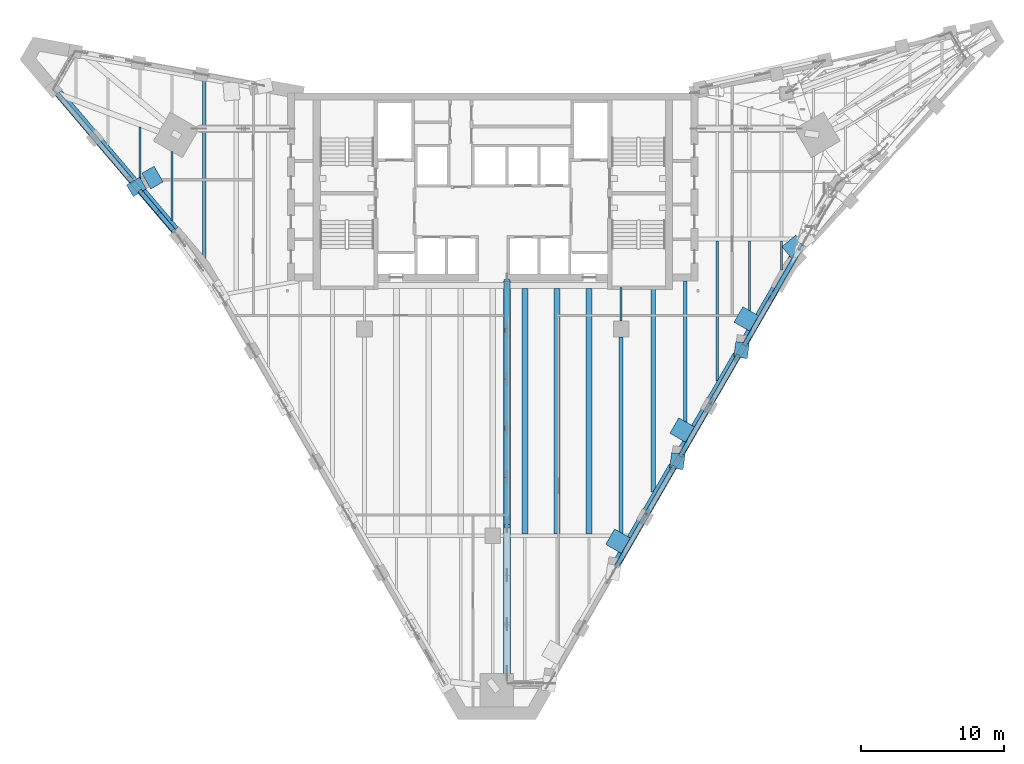
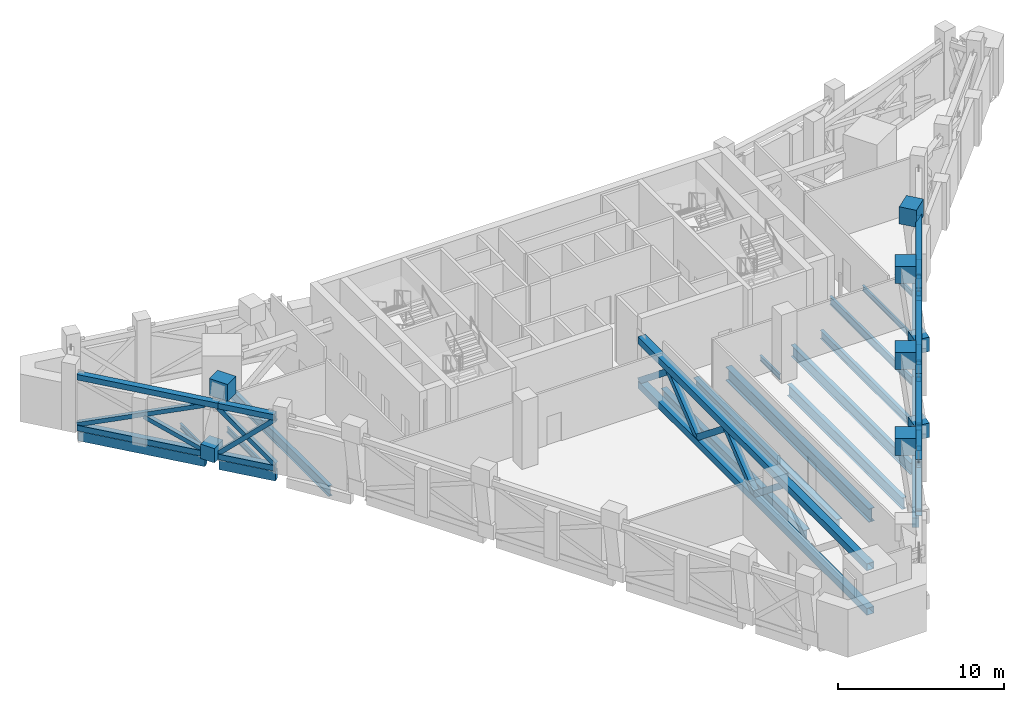
# One storey, part 3 of 23: 31 members, 26 beams.
"""IFC4 building model written with IfcOpenShell, lengths in metres."""

from ifc_helpers import new_model, si_unit, direction, frame, origin, origin_2d, place, context, subcontext, project, spatial, rectangle, hollow_rectangle, i_section, extrude, material, material_profile, profile_set, type_object, element, save


model = new_model("IFC4")

# Units and contexts
model_context = context("Model", 3, precision=1e-05, world=origin(), true_north=direction((0.0, 1.0)))
body_context = subcontext(model_context, "Body", "Model", "MODEL_VIEW")
ifc_project = project(units=[si_unit("LENGTHUNIT", "METRE"), si_unit("AREAUNIT", "SQUARE_METRE"), si_unit("VOLUMEUNIT", "CUBIC_METRE"), si_unit("PLANEANGLEUNIT", "RADIAN"), si_unit("MASSUNIT", "GRAM", prefix="KILO")], contexts=[model_context])

# Site, building, storey
site_placement = place(None, origin())
site = spatial("IfcSite", under=ifc_project, at=site_placement, CompositionType="ELEMENT")
building_placement = place(site_placement, origin())
building = spatial("IfcBuilding", under=site, at=building_placement, Name="Calabash Gate Tower", CompositionType="ELEMENT")
storey_placement = place(building_placement, frame((0.0, 0.0, 243.199951171875)))
storey = spatial("IfcBuildingStorey", under=building, at=storey_placement, Name="L58", CompositionType="ELEMENT", Elevation=243.199951171875)

# Members
ifc_material_1 = material(Name="Steel ASTM A500 Gr C", Category="steel")
ifc_material_profile_1 = material_profile(ifc_material_1, hollow_rectangle(XDim=0.406494140625, YDim=0.406494140625, WallThickness=0.015869140625, at=origin_2d()))
ifc_profile_set_1 = profile_set([ifc_material_profile_1], Name="Steel ASTM A500 Gr C")
member_type_1 = type_object("IfcMemberType", Name="Belt truss chord HSS16X16X.625 ASTM A500 Gr C", PredefinedType="CHORD", material=ifc_profile_set_1)
member_1_placement = place(storey_placement, frame((8.6708984375, -14.180908203125, 0.203369140625), z_axis=(0.499999880539, 0.866025472755, 0.0), x_axis=(-0.866025472755, 0.499999880539, 0.0)))
element("IfcMember", 1, at=member_1_placement, inside=storey, type_object=member_type_1, Name="Belt chord L58 31", PredefinedType="CHORD", context=body_context, shape_type="SweptSolid", body=[
    extrude(hollow_rectangle(XDim=0.406494140625, YDim=0.406494140625, WallThickness=0.015869140625, at=origin_2d()), origin(), (0.0, 0.0, 1.0), 8.10009765625),
])
member_2_placement = place(storey_placement, frame((8.6708984375, -14.180908203125, 3.9267578125), z_axis=(0.500043165045, 0.866000480575, 2.7109957e-05), x_axis=(-0.866000480893, 0.500043165229, 0.0)))
element("IfcMember", 2, at=member_2_placement, inside=storey, type_object=member_type_1, Name="Belt chord L58 32", PredefinedType="CHORD", context=body_context, shape_type="SweptSolid", body=[
    extrude(hollow_rectangle(XDim=0.406494140625, YDim=0.406494140625, WallThickness=0.015869140625, at=origin_2d()), origin(), (0.0, 0.0, 1.0), 9.005615234375),
])
member_3_placement = place(storey_placement, frame((13.1708984375, -6.38671875, 0.203369140625), z_axis=(0.499999880539, 0.866025472755, 0.0), x_axis=(-0.866025472755, 0.499999880539, 0.0)))
element("IfcMember", 3, at=member_3_placement, inside=storey, type_object=member_type_1, Name="Belt chord L58 36", PredefinedType="CHORD", context=body_context, shape_type="SweptSolid", body=[
    extrude(hollow_rectangle(XDim=0.406494140625, YDim=0.406494140625, WallThickness=0.015869140625, at=origin_2d()), origin(), (0.0, 0.0, 1.0), 8.10009765625),
])
member_4_placement = place(storey_placement, frame((13.1708984375, -6.38671875, 3.9267578125), z_axis=(0.500043165045, 0.866000480575, 2.7109957e-05), x_axis=(-0.866000480893, 0.500043165229, 0.0)))
element("IfcMember", 4, at=member_4_placement, inside=storey, type_object=member_type_1, Name="Belt chord L58 37", PredefinedType="CHORD", context=body_context, shape_type="SweptSolid", body=[
    extrude(hollow_rectangle(XDim=0.406494140625, YDim=0.406494140625, WallThickness=0.015869140625, at=origin_2d()), origin(), (0.0, 0.0, 1.0), 9.005615234375),
])
for number, where, z_axis, x_axis, name in (
    (5, (17.6708984375, 1.40771484375, 0.203369140625), (0.5000115754, 0.866018720621, 0.0), (-0.866018720621, 0.5000115754, 0.0), "Belt chord L58 41"),
    (6, (17.6708984375, 1.40771484375, 3.9267578125), (0.5000115754, 0.866018720621, 0.0), (-0.866018720621, 0.5000115754, 0.0), "Belt chord L58 42"),
):
    element("IfcMember", number, at=place(storey_placement, frame(where, z_axis=z_axis, x_axis=x_axis)), inside=storey, type_object=member_type_1, Name=name, PredefinedType="CHORD", context=body_context, shape_type="SweptSolid", body=[
        extrude(hollow_rectangle(XDim=0.406494140625, YDim=0.406494140625, WallThickness=0.015869140625, at=origin_2d()), origin(), (0.0, 0.0, 1.0), 8.089111328125),
    ])
member_5_placement = place(storey_placement, frame((-30.5361328125, 18.9794921875, 0.203369140625), z_axis=(0.647710538291, -0.761886512931, 0.0), x_axis=(0.761886512931, 0.647710538291, 0.0)))
element("IfcMember", 7, at=member_5_placement, inside=storey, type_object=member_type_1, Name="Belt chord L58 96", PredefinedType="CHORD", context=body_context, shape_type="SweptSolid", body=[
    extrude(hollow_rectangle(XDim=0.406494140625, YDim=0.406494140625, WallThickness=0.015869140625, at=origin_2d()), origin(), (0.0, 0.0, 1.0), 8.099853515625),
])
member_6_placement = place(storey_placement, frame((-30.5361328125, 18.9794921875, 3.9267578125), z_axis=(0.647682261641, -0.761910550669, 2.711329e-05), x_axis=(0.761910550949, 0.647682261879, 0.0)))
element("IfcMember", 8, at=member_6_placement, inside=storey, type_object=member_type_1, Name="Belt chord L58 97", PredefinedType="CHORD", context=body_context, shape_type="SweptSolid", body=[
    extrude(hollow_rectangle(XDim=0.406494140625, YDim=0.406494140625, WallThickness=0.015869140625, at=origin_2d()), origin(), (0.0, 0.0, 1.0), 9.00439453125),
])
for number, where, z_axis, x_axis, name in (
    (9, (-24.706787109375, 12.12255859375, 0.203369140625), (0.647697631111, -0.761897485659, 0.0), (0.761897485659, 0.647697631111, 0.0), "Belt chord L58 101"),
    (10, (-24.706787109375, 12.12255859375, 3.9267578125), (0.647697631111, -0.761897485659, 0.0), (0.761897485659, 0.647697631111, 0.0), "Belt chord L58 102"),
):
    element("IfcMember", number, at=place(storey_placement, frame(where, z_axis=z_axis, x_axis=x_axis)), inside=storey, type_object=member_type_1, Name=name, PredefinedType="CHORD", context=body_context, shape_type="SweptSolid", body=[
        extrude(hollow_rectangle(XDim=0.406494140625, YDim=0.406494140625, WallThickness=0.015869140625, at=origin_2d()), origin(), (0.0, 0.0, 1.0), 3.60009765625),
    ])
ifc_material_2 = material(Name="Steel ASTM A500 Gr C", Category="steel")
ifc_material_profile_2 = material_profile(ifc_material_2, hollow_rectangle(XDim=0.3046875, YDim=0.3046875, WallThickness=0.0126953125, at=origin_2d()))
ifc_profile_set_2 = profile_set([ifc_material_profile_2], Name="Steel ASTM A500 Gr C")
member_type_2 = type_object("IfcMemberType", Name="Belt truss diagonal HSS12X12X.500 ASTM A500 Gr C", PredefinedType="BRACE", material=ifc_profile_set_2)
member_7_placement = place(storey_placement, frame((8.6708984375, -14.180908203125, 0.406494140625), z_axis=(0.462704041468, 0.801427163994, 0.378971596325), x_axis=(-0.866025472755, 0.499999880539, 0.0)))
element("IfcMember", 11, at=member_7_placement, inside=storey, type_object=member_type_2, Name="Belt diagonal L58 33", PredefinedType="BRACE", context=body_context, shape_type="SweptSolid", body=[
    extrude(hollow_rectangle(XDim=0.3046875, YDim=0.3046875, WallThickness=0.0126953125, at=origin_2d()), origin(), (0.0, 0.0, 1.0), 8.7529296875),
])
for number, where, z_axis, x_axis, name in (
    (12, (8.6708984375, -14.180908203125, 3.7236328125), (0.462725403696, 0.801419502304, -0.378961715878), (-0.866013407032, 0.50002077841, 0.0), "Belt diagonal (split) L58 34 half 1 of 2"),
    (13, (10.796630859375, -10.499267578125, 1.982666015625), (0.462679271023, 0.801441269637, -0.378972008846), (-0.866040873467, 0.499973204766, 0.0), "Belt diagonal (split) L58 35 half 2 of 2"),
):
    element("IfcMember", number, at=place(storey_placement, frame(where, z_axis=z_axis, x_axis=x_axis)), inside=storey, type_object=member_type_2, Name=name, PredefinedType="BRACE", context=body_context, shape_type="SweptSolid", body=[
        extrude(hollow_rectangle(XDim=0.3046875, YDim=0.3046875, WallThickness=0.0126953125, at=origin_2d()), origin(), (0.0, 0.0, 1.0), 4.1591796875),
    ])
member_8_placement = place(storey_placement, frame((13.1708984375, -6.38671875, 0.406494140625), z_axis=(0.462704041468, 0.801427163994, 0.378971596325), x_axis=(-0.866025472755, 0.499999880539, 0.0)))
element("IfcMember", 14, at=member_8_placement, inside=storey, type_object=member_type_2, Name="Belt diagonal L58 38", PredefinedType="BRACE", context=body_context, shape_type="SweptSolid", body=[
    extrude(hollow_rectangle(XDim=0.3046875, YDim=0.3046875, WallThickness=0.0126953125, at=origin_2d()), origin(), (0.0, 0.0, 1.0), 8.7529296875),
])
member_9_placement = place(storey_placement, frame((13.1708984375, -6.38671875, 3.7236328125), z_axis=(0.462703636609, 0.801440499081, -0.378943889121), x_axis=(-0.866029264609, 0.499993312796, 0.0)))
element("IfcMember", 15, at=member_9_placement, inside=storey, type_object=member_type_2, Name="Belt diagonal (split) L58 39 half 1 of 2", PredefinedType="BRACE", context=body_context, shape_type="SweptSolid", body=[
    extrude(hollow_rectangle(XDim=0.3046875, YDim=0.3046875, WallThickness=0.0126953125, at=origin_2d()), origin(), (0.0, 0.0, 1.0), 4.159423828125),
])
member_10_placement = place(storey_placement, frame((15.296630859375, -2.705078125, 1.982666015625), z_axis=(0.462679271023, 0.801441269637, -0.378972008846), x_axis=(-0.866040873467, 0.499973204766, 0.0)))
element("IfcMember", 16, at=member_10_placement, inside=storey, type_object=member_type_2, Name="Belt diagonal (split) L58 40 half 2 of 2", PredefinedType="BRACE", context=body_context, shape_type="SweptSolid", body=[
    extrude(hollow_rectangle(XDim=0.3046875, YDim=0.3046875, WallThickness=0.0126953125, at=origin_2d()), origin(), (0.0, 0.0, 1.0), 4.1591796875),
])
member_11_placement = place(storey_placement, frame((17.6708984375, 1.40771484375, 0.406494140625), z_axis=(0.462625024912, 0.80126531447, 0.379410044877), x_axis=(-0.866018720621, 0.5000115754, 0.0)))
element("IfcMember", 17, at=member_11_placement, inside=storey, type_object=member_type_2, Name="Belt diagonal L58 43", PredefinedType="BRACE", context=body_context, shape_type="SweptSolid", body=[
    extrude(hollow_rectangle(XDim=0.3046875, YDim=0.3046875, WallThickness=0.0126953125, at=origin_2d()), origin(), (0.0, 0.0, 1.0), 8.742919921875),
])
member_12_placement = place(storey_placement, frame((17.6708984375, 1.40771484375, 3.7236328125), z_axis=(0.462631386307, 0.801259695238, -0.379414155233), x_axis=(-0.866014224953, 0.500019361804, 0.0)))
element("IfcMember", 18, at=member_12_placement, inside=storey, type_object=member_type_2, Name="Belt diagonal (split) L58 44 half 1 of 2", PredefinedType="BRACE", context=body_context, shape_type="SweptSolid", body=[
    extrude(hollow_rectangle(XDim=0.3046875, YDim=0.3046875, WallThickness=0.0126953125, at=origin_2d()), origin(), (0.0, 0.0, 1.0), 4.154296875),
])
member_13_placement = place(storey_placement, frame((19.793701171875, 5.084228515625, 1.982666015625), z_axis=(0.462609602005, 0.801280732131, -0.379396289449), x_axis=(-0.866030104553, 0.499991857942, 0.0)))
element("IfcMember", 19, at=member_13_placement, inside=storey, type_object=member_type_2, Name="Belt diagonal (split) L58 45 half 2 of 2", PredefinedType="BRACE", context=body_context, shape_type="SweptSolid", body=[
    extrude(hollow_rectangle(XDim=0.3046875, YDim=0.3046875, WallThickness=0.0126953125, at=origin_2d()), origin(), (0.0, 0.0, 1.0), 4.154541015625),
])
member_14_placement = place(storey_placement, frame((-30.5361328125, 18.9794921875, 0.406494140625), z_axis=(0.599393724746, -0.705052593439, 0.378982853466), x_axis=(0.761886512931, 0.647710538291, 0.0)))
element("IfcMember", 20, at=member_14_placement, inside=storey, type_object=member_type_2, Name="Belt diagonal L58 98", PredefinedType="BRACE", context=body_context, shape_type="SweptSolid", body=[
    extrude(hollow_rectangle(XDim=0.3046875, YDim=0.3046875, WallThickness=0.0126953125, at=origin_2d()), origin(), (0.0, 0.0, 1.0), 8.752685546875),
])
member_15_placement = place(storey_placement, frame((-27.78271484375, 15.74072265625, 1.982666015625), z_axis=(0.599395052096, -0.705056700688, -0.37897311295), x_axis=(0.76188766711, 0.647709180656, 0.0)))
element("IfcMember", 21, at=member_15_placement, inside=storey, type_object=member_type_2, Name="Belt diagonal (split) L58 100 half 2 of 2", PredefinedType="BRACE", context=body_context, shape_type="SweptSolid", body=[
    extrude(hollow_rectangle(XDim=0.3046875, YDim=0.3046875, WallThickness=0.0126953125, at=origin_2d()), origin(), (0.0, 0.0, 1.0), 4.1591796875),
])
member_16_placement = place(storey_placement, frame((-24.706787109375, 12.12255859375, 0.406494140625), z_axis=(0.476328950697, -0.560313659416, 0.677612967556), x_axis=(0.761897485659, 0.647697631111, 0.0)))
element("IfcMember", 22, at=member_16_placement, inside=storey, type_object=member_type_2, Name="Belt diagonal L58 103", PredefinedType="BRACE", context=body_context, shape_type="SweptSolid", body=[
    extrude(hollow_rectangle(XDim=0.3046875, YDim=0.3046875, WallThickness=0.0126953125, at=origin_2d()), origin(), (0.0, 0.0, 1.0), 4.895263671875),
])
for number, where, z_axis, x_axis, name in (
    (23, (-24.706787109375, 12.12255859375, 3.7236328125), (0.47633469638, -0.560281105905, -0.67763584571), (0.761875059279, 0.647724010709, 0.0), "Belt diagonal (split) L58 104 half 1 of 2"),
    (24, (-23.468017578125, 10.66552734375, 1.96142578125), (0.476306301129, -0.560354096056, -0.6775954505), (0.761935748434, 0.647652619278, 0.0), "Belt diagonal (split) L58 105 half 2 of 2"),
):
    element("IfcMember", number, at=place(storey_placement, frame(where, z_axis=z_axis, x_axis=x_axis)), inside=storey, type_object=member_type_2, Name=name, PredefinedType="BRACE", context=body_context, shape_type="SweptSolid", body=[
        extrude(hollow_rectangle(XDim=0.3046875, YDim=0.3046875, WallThickness=0.0126953125, at=origin_2d()), origin(), (0.0, 0.0, 1.0), 2.294677734375),
    ])

# Beams
ifc_material_3 = material(Name="Concrete C50/60", Category="concrete")
ifc_material_profile_3 = material_profile(ifc_material_3, rectangle(XDim=0.39990234375, YDim=0.699951171875, at=origin_2d()))
ifc_profile_set_3 = profile_set([ifc_material_profile_3], Name="Concrete C50/60")
beam_type_1 = type_object("IfcBeamType", Name="Edge beam RC 400x700 Concrete C50/60", PredefinedType="BEAM", material=ifc_profile_set_3)
for number, where, z_axis, x_axis, name in (
    (25, (8.498046875, -14.0810546875, -0.52001953125), (0.499986829629, 0.866033007568, 0.0), (-0.866033007568, 0.499986829629, 0.0), "Edge beam L58 7"),
    (26, (12.998046875, -6.287109375, -0.52001953125), (0.499986829629, 0.866033007568, 0.0), (-0.866033007568, 0.499986829629, 0.0), "Edge beam L58 8"),
):
    element("IfcBeam", number, at=place(storey_placement, frame(where, z_axis=z_axis, x_axis=x_axis)), inside=storey, type_object=beam_type_1, Name=name, PredefinedType="BEAM", context=body_context, shape_type="SweptSolid", body=[
        extrude(rectangle(XDim=0.39990234375, YDim=0.699951171875, at=origin_2d()), origin(), (0.0, 0.0, 1.0), 8.100341796875),
    ])
beam_1_placement = place(storey_placement, frame((17.498046875, 1.508056640625, -0.52001953125), z_axis=(0.50005208986, 0.865995327601, 0.0), x_axis=(-0.865995327601, 0.50005208986, 0.0)))
element("IfcBeam", 27, at=beam_1_placement, inside=storey, type_object=beam_type_1, Name="Edge beam L58 9", PredefinedType="BEAM", context=body_context, shape_type="SweptSolid", body=[
    extrude(rectangle(XDim=0.39990234375, YDim=0.699951171875, at=origin_2d()), origin(), (0.0, 0.0, 1.0), 8.099365234375),
])
beam_2_placement = place(storey_placement, frame((-30.384033203125, 19.10888671875, -0.52001953125), z_axis=(0.647777896435, -0.761829243919, 0.0), x_axis=(0.761829243919, 0.647777896435, 0.0)))
element("IfcBeam", 28, at=beam_2_placement, inside=storey, type_object=beam_type_1, Name="Edge beam L58 22", PredefinedType="BEAM", context=body_context, shape_type="SweptSolid", body=[
    extrude(rectangle(XDim=0.39990234375, YDim=0.699951171875, at=origin_2d()), origin(), (0.0, 0.0, 1.0), 8.10009765625),
])
beam_3_placement = place(storey_placement, frame((-24.553955078125, 12.251953125, -0.52001953125), z_axis=(0.647579511056, -0.761997885076, 0.0), x_axis=(0.761997885076, 0.647579511056, 0.0)))
element("IfcBeam", 29, at=beam_3_placement, inside=storey, type_object=beam_type_1, Name="Edge beam L58 23", PredefinedType="BEAM", context=body_context, shape_type="SweptSolid", body=[
    extrude(rectangle(XDim=0.39990234375, YDim=0.699951171875, at=origin_2d()), origin(), (0.0, 0.0, 1.0), 3.599609375),
])
ifc_material_4 = material(Name="Steel ASTM A992 Gr50", Category="steel")
ifc_material_profile_4 = material_profile(ifc_material_4, i_section(OverallWidth=0.1396484375, OverallDepth=0.398681640625, WebThickness=0.00634765625, FlangeThickness=0.0087890625, FilletRadius=0.01025390625, at=origin_2d()))
ifc_profile_set_4 = profile_set([ifc_material_profile_4], Name="Steel ASTM A992 Gr50")
beam_type_2 = type_object("IfcBeamType", Name="Floor beam W16x26 ASTM A992 Gr50", PredefinedType="BEAM", material=ifc_profile_set_4)
beam_4_placement = place(storey_placement, frame((-24.75, 12.845947265625, -0.368896484375), z_axis=(0.0, 1.0, 0.0), x_axis=(-1.0, 0.0, 0.0)))
element("IfcBeam", 30, at=beam_4_placement, inside=storey, type_object=beam_type_2, Name="Floor beam L58 4", PredefinedType="BEAM", context=body_context, shape_type="SweptSolid", body=[
    extrude(i_section(OverallWidth=0.1396484375, OverallDepth=0.398681640625, WebThickness=0.00634765625, FlangeThickness=0.0087890625, FilletRadius=0.01025390625, at=origin_2d()), origin(), (0.0, 0.0, 1.0), 3.822021484375),
])
beam_5_placement = place(storey_placement, frame((-22.5, 10.1220703125, -0.368896484375), z_axis=(0.0, 1.0, 0.0), x_axis=(-1.0, 0.0, 0.0)))
element("IfcBeam", 31, at=beam_5_placement, inside=storey, type_object=beam_type_2, Name="Floor beam L58 6", PredefinedType="BEAM", context=body_context, shape_type="SweptSolid", body=[
    extrude(i_section(OverallWidth=0.1396484375, OverallDepth=0.398681640625, WebThickness=0.00634765625, FlangeThickness=0.0087890625, FilletRadius=0.01025390625, at=origin_2d()), origin(), (0.0, 0.0, 1.0), 4.81982421875),
])
beam_6_placement = place(storey_placement, frame((9.0, 3.050048828125, -0.368896484375), z_axis=(0.0, 1.0, 0.0), x_axis=(-1.0, 0.0, 0.0)))
element("IfcBeam", 32, at=beam_6_placement, inside=storey, type_object=beam_type_2, Name="Floor beam L58 31", PredefinedType="BEAM", context=body_context, shape_type="SweptSolid", body=[
    extrude(i_section(OverallWidth=0.1396484375, OverallDepth=0.398681640625, WebThickness=0.00634765625, FlangeThickness=0.0087890625, FilletRadius=0.01025390625, at=origin_2d()), origin(), (0.0, 0.0, 1.0), 2.35302734375),
])
beam_7_placement = place(storey_placement, frame((18.0, 2.7470703125, -0.368896484375), z_axis=(0.0, 1.0, 0.0), x_axis=(-1.0, 0.0, 0.0)))
element("IfcBeam", 33, at=beam_7_placement, inside=storey, type_object=beam_type_2, Name="Floor beam L58 36", PredefinedType="BEAM", context=body_context, shape_type="SweptSolid", body=[
    extrude(i_section(OverallWidth=0.1396484375, OverallDepth=0.398681640625, WebThickness=0.00634765625, FlangeThickness=0.0087890625, FilletRadius=0.01025390625, at=origin_2d()), origin(), (0.0, 0.0, 1.0), 5.931884765625),
])
beam_8_placement = place(storey_placement, frame((20.25, 6.64306640625, -0.368896484375), z_axis=(0.0, 1.0, 0.0), x_axis=(-1.0, 0.0, 0.0)))
element("IfcBeam", 34, at=beam_8_placement, inside=storey, type_object=beam_type_2, Name="Floor beam L58 38", PredefinedType="BEAM", context=body_context, shape_type="SweptSolid", body=[
    extrude(i_section(OverallWidth=0.1396484375, OverallDepth=0.398681640625, WebThickness=0.00634765625, FlangeThickness=0.0087890625, FilletRadius=0.01025390625, at=origin_2d()), origin(), (0.0, 0.0, 1.0), 2.035888671875),
])
ifc_material_5 = material(Name="Steel ASTM A992 Gr50", Category="steel")
ifc_material_profile_5 = material_profile(ifc_material_5, i_section(OverallWidth=0.1787109375, OverallDepth=0.60205078125, WebThickness=0.010986328125, FlangeThickness=0.014892578125, FilletRadius=0.0126953125, at=origin_2d()))
ifc_profile_set_5 = profile_set([ifc_material_profile_5], Name="Steel ASTM A992 Gr50")
beam_type_3 = type_object("IfcBeamType", Name="Floor beam W24x62 ASTM A992 Gr50", PredefinedType="BEAM", material=ifc_profile_set_5)
beam_9_placement = place(storey_placement, frame((15.75, -1.152099609375, -0.470947265625), z_axis=(0.0, 1.0, 0.0), x_axis=(-1.0, 0.0, 0.0)))
element("IfcBeam", 35, at=beam_9_placement, inside=storey, type_object=beam_type_3, Name="Floor beam L58 34", PredefinedType="BEAM", context=body_context, shape_type="SweptSolid", body=[
    extrude(i_section(OverallWidth=0.1787109375, OverallDepth=0.60205078125, WebThickness=0.010986328125, FlangeThickness=0.014892578125, FilletRadius=0.0126953125, at=origin_2d()), origin(), (0.0, 0.0, 1.0), 9.8310546875),
])
ifc_material_6 = material(Name="Steel ASTM A992 Gr50", Category="steel")
ifc_material_profile_6 = material_profile(ifc_material_6, i_section(OverallWidth=0.228271484375, OverallDepth=0.607177734375, WebThickness=0.01123046875, FlangeThickness=0.017333984375, FilletRadius=0.0126953125, at=origin_2d()))
ifc_profile_set_6 = profile_set([ifc_material_profile_6], Name="Steel ASTM A992 Gr50")
beam_type_4 = type_object("IfcBeamType", Name="Floor beam W24x76 ASTM A992 Gr50", PredefinedType="BEAM", material=ifc_profile_set_6)
beam_10_placement = place(storey_placement, frame((13.5, -5.049072265625, -0.473876953125), z_axis=(0.0, 1.0, 0.0), x_axis=(-1.0, 0.0, 0.0)))
element("IfcBeam", 36, at=beam_10_placement, inside=storey, type_object=beam_type_4, Name="Floor beam L58 33", PredefinedType="BEAM", context=body_context, shape_type="SweptSolid", body=[
    extrude(i_section(OverallWidth=0.228271484375, OverallDepth=0.607177734375, WebThickness=0.01123046875, FlangeThickness=0.017333984375, FilletRadius=0.0126953125, at=origin_2d()), origin(), (0.0, 0.0, 1.0), 10.902099609375),
])
ifc_material_7 = material(Name="Steel ASTM A992 Gr50", Category="steel")
ifc_material_profile_7 = material_profile(ifc_material_7, i_section(OverallWidth=0.2666015625, OverallDepth=0.7568359375, WebThickness=0.013916015625, FlangeThickness=0.019287109375, FilletRadius=0.0166015625, at=origin_2d()))
ifc_profile_set_7 = profile_set([ifc_material_profile_7], Name="Steel ASTM A992 Gr50")
beam_type_5 = type_object("IfcBeamType", Name="Floor beam W30x108 ASTM A992 Gr50", PredefinedType="BEAM", material=ifc_profile_set_7)
beam_11_placement = place(storey_placement, frame((-20.25, 6.446044921875, -0.5478515625), z_axis=(0.0, 1.0, 0.0), x_axis=(-1.0, 0.0, 0.0)))
element("IfcBeam", 37, at=beam_11_placement, inside=storey, type_object=beam_type_5, Name="Floor beam L58 8", PredefinedType="BEAM", context=body_context, shape_type="SweptSolid", body=[
    extrude(i_section(OverallWidth=0.2666015625, OverallDepth=0.7568359375, WebThickness=0.013916015625, FlangeThickness=0.019287109375, FilletRadius=0.0166015625, at=origin_2d()), origin(), (0.0, 0.0, 1.0), 13.5048828125),
])
ifc_material_8 = material(Name="Steel ASTM A992 Gr50", Category="steel")
ifc_material_profile_8 = material_profile(ifc_material_8, i_section(OverallWidth=0.2919921875, OverallDepth=0.845703125, WebThickness=0.015380859375, FlangeThickness=0.0244140625, FilletRadius=0.017822265625, at=origin_2d()))
ifc_profile_set_8 = profile_set([ifc_material_profile_8], Name="Steel ASTM A992 Gr50")
beam_type_6 = type_object("IfcBeamType", Name="Floor beam W33x141 ASTM A992 Gr50", PredefinedType="BEAM", material=ifc_profile_set_8)
beam_12_placement = place(storey_placement, frame((9.0, -11.866943359375, -0.593017578125), z_axis=(0.0, 1.0, 0.0), x_axis=(-1.0, 0.0, 0.0)))
element("IfcBeam", 38, at=beam_12_placement, inside=storey, type_object=beam_type_6, Name="Floor beam L58 30", PredefinedType="BEAM", context=body_context, shape_type="SweptSolid", body=[
    extrude(i_section(OverallWidth=0.2919921875, OverallDepth=0.845703125, WebThickness=0.015380859375, FlangeThickness=0.0244140625, FilletRadius=0.017822265625, at=origin_2d()), origin(), (0.0, 0.0, 1.0), 13.81689453125),
])
beam_13_placement = place(storey_placement, frame((11.25, -8.946044921875, -0.593017578125), z_axis=(0.0, 1.0, 0.0), x_axis=(-1.0, 0.0, 0.0)))
element("IfcBeam", 39, at=beam_13_placement, inside=storey, type_object=beam_type_6, Name="Floor beam L58 32", PredefinedType="BEAM", context=body_context, shape_type="SweptSolid", body=[
    extrude(i_section(OverallWidth=0.2919921875, OverallDepth=0.845703125, WebThickness=0.015380859375, FlangeThickness=0.0244140625, FilletRadius=0.017822265625, at=origin_2d()), origin(), (0.0, 0.0, 1.0), 14.34912109375),
])
ifc_material_9 = material(Name="Steel ASTM A992 Gr50", Category="steel")
ifc_material_profile_9 = material_profile(ifc_material_9, i_section(OverallWidth=0.4013671875, OverallDepth=0.990478515625, WebThickness=0.0166015625, FlangeThickness=0.031005859375, FilletRadius=0.030029296875, at=origin_2d()))
ifc_profile_set_9 = profile_set([ifc_material_profile_9], Name="Steel ASTM A992 Gr50")
beam_type_7 = type_object("IfcBeamType", Name="Floor beam W40x215 ASTM A992 Gr50", PredefinedType="BEAM", material=ifc_profile_set_9)
for number, where, z_axis, x_axis, name in (
    (40, (2.25, -11.866943359375, -0.662841796875), (0.0, 1.0, 0.0), (-1.0, 0.0, 0.0), "Floor beam L58 25"),
    (41, (4.5, -11.866943359375, -0.662841796875), (0.0, 1.0, 0.0), (-1.0, 0.0, 0.0), "Floor beam L58 27"),
    (42, (6.75, -11.866943359375, -0.662841796875), (0.0, 1.0, 0.0), (-1.0, 0.0, 0.0), "Floor beam L58 29"),
):
    element("IfcBeam", number, at=place(storey_placement, frame(where, z_axis=z_axis, x_axis=x_axis)), inside=storey, type_object=beam_type_7, Name=name, PredefinedType="BEAM", context=body_context, shape_type="SweptSolid", body=[
        extrude(i_section(OverallWidth=0.4013671875, OverallDepth=0.990478515625, WebThickness=0.0166015625, FlangeThickness=0.031005859375, FilletRadius=0.030029296875, at=origin_2d()), origin(), (0.0, 0.0, 1.0), 17.218994140625),
    ])

# Members
ifc_material_10 = material(Name="Steel ASTM A500 Gr C", Category="steel")
ifc_material_profile_10 = material_profile(ifc_material_10, hollow_rectangle(XDim=0.508056640625, YDim=0.508056640625, WallThickness=0.01904296875, at=origin_2d()))
ifc_profile_set_10 = profile_set([ifc_material_profile_10], Name="Steel ASTM A500 Gr C")
member_type_3 = type_object("IfcMemberType", Name="Outrigger chord HSS20X20X.750 ASTM A500 Gr C", PredefinedType="CHORD", material=ifc_profile_set_10)
for number, where, z_axis, x_axis, name in (
    (43, (1.0, -21.661865234375, 0.254150390625), (0.0, 1.0, 0.0), (-1.0, 0.0, 0.0), "Outrigger chord L58 S"),
    (44, (1.0, -21.661865234375, 3.526123046875), (0.0, 1.0, 0.0), (-1.0, 0.0, 0.0), "Outrigger chord L58 S"),
):
    element("IfcMember", number, at=place(storey_placement, frame(where, z_axis=z_axis, x_axis=x_axis)), inside=storey, type_object=member_type_3, Name=name, PredefinedType="CHORD", context=body_context, shape_type="SweptSolid", body=[
        extrude(hollow_rectangle(XDim=0.508056640625, YDim=0.508056640625, WallThickness=0.01904296875, at=origin_2d()), origin(), (0.0, 0.0, 1.0), 27.514404296875),
    ])
ifc_material_11 = material(Name="Steel ASTM A500 Gr C", Category="steel")
ifc_material_profile_11 = material_profile(ifc_material_11, hollow_rectangle(XDim=0.406494140625, YDim=0.406494140625, WallThickness=0.015869140625, at=origin_2d()))
ifc_profile_set_11 = profile_set([ifc_material_profile_11], Name="Steel ASTM A500 Gr C")
member_type_4 = type_object("IfcMemberType", Name="Outrigger diagonal HSS16X16X.625 ASTM A500 Gr C", PredefinedType="BRACE", material=ifc_profile_set_11)
member_17_placement = place(storey_placement, frame((1.0, -11.343994140625, 3.27197265625), z_axis=(0.0, 0.779501215644, -0.626400714247), x_axis=(-1.0, 0.0, 0.0)))
element("IfcMember", 45, at=member_17_placement, inside=storey, type_object=member_type_4, Name="Outrigger diagonal L58 S", PredefinedType="BRACE", context=body_context, shape_type="SweptSolid", body=[
    extrude(hollow_rectangle(XDim=0.406494140625, YDim=0.406494140625, WallThickness=0.015869140625, at=origin_2d()), origin(), (0.0, 0.0, 1.0), 4.412353515625),
])
for number, where, z_axis, x_axis, name in (
    (46, (1.0, -7.904541015625, 0.508056640625), (0.0, 0.779479503634, 0.626427731997), (-1.0, 0.0, 0.0), "Outrigger diagonal L58 S"),
    (47, (1.0, -4.46533203125, 3.27197265625), (0.0, 0.779479503634, -0.626427731997), (-1.0, 0.0, 0.0), "Outrigger diagonal L58 S"),
):
    element("IfcMember", number, at=place(storey_placement, frame(where, z_axis=z_axis, x_axis=x_axis)), inside=storey, type_object=member_type_4, Name=name, PredefinedType="BRACE", context=body_context, shape_type="SweptSolid", body=[
        extrude(hollow_rectangle(XDim=0.406494140625, YDim=0.406494140625, WallThickness=0.015869140625, at=origin_2d()), origin(), (0.0, 0.0, 1.0), 4.412109375),
    ])
member_18_placement = place(storey_placement, frame((1.0, -1.026123046875, 0.508056640625), z_axis=(0.0, 0.779501215644, 0.626400714247), x_axis=(-1.0, 0.0, 0.0)))
element("IfcMember", 48, at=member_18_placement, inside=storey, type_object=member_type_4, Name="Outrigger diagonal L58 S", PredefinedType="BRACE", context=body_context, shape_type="SweptSolid", body=[
    extrude(hollow_rectangle(XDim=0.406494140625, YDim=0.406494140625, WallThickness=0.015869140625, at=origin_2d()), origin(), (0.0, 0.0, 1.0), 4.412353515625),
])
member_19_placement = place(storey_placement, frame((1.0, 2.413330078125, 3.27197265625), z_axis=(0.0, 0.779479503634, -0.626427731997), x_axis=(-1.0, 0.0, 0.0)))
element("IfcMember", 49, at=member_19_placement, inside=storey, type_object=member_type_4, Name="Outrigger diagonal L58 S", PredefinedType="BRACE", context=body_context, shape_type="SweptSolid", body=[
    extrude(hollow_rectangle(XDim=0.406494140625, YDim=0.406494140625, WallThickness=0.015869140625, at=origin_2d()), origin(), (0.0, 0.0, 1.0), 4.412109375),
])

# Beams
ifc_material_12 = material(Name="Concrete C50/60", Category="concrete")
ifc_material_profile_12 = material_profile(ifc_material_12, rectangle(XDim=1.0, YDim=1.25, at=origin_2d()))
ifc_profile_set_12 = profile_set([ifc_material_profile_12], Name="Concrete C50/60")
beam_type_8 = type_object("IfcBeamType", Name="Transfer node RC 1000x1250 Concrete C50/60", PredefinedType="BEAM", material=ifc_profile_set_12)
beam_14_placement = place(storey_placement, frame((-24.193115234375, 13.6708984375, 4.376953125), z_axis=(0.498850602559, -0.86668799249, 0.0), x_axis=(0.86668799249, 0.498850602559, 0.0)))
element("IfcBeam", 50, at=beam_14_placement, inside=storey, type_object=beam_type_8, Name="Transfer node L58 head P20", PredefinedType="BEAM", context=body_context, shape_type="SweptSolid", body=[
    extrude(rectangle(XDim=1.0, YDim=1.25, at=origin_2d()), origin(), (0.0, 0.0, 1.0), 1.26904296875),
])
ifc_material_13 = material(Name="Concrete C50/60", Category="concrete")
ifc_material_profile_13 = material_profile(ifc_material_13, rectangle(XDim=1.10009765625, YDim=1.25, at=origin_2d()))
ifc_profile_set_13 = profile_set([ifc_material_profile_13], Name="Concrete C50/60")
beam_type_9 = type_object("IfcBeamType", Name="Transfer node RC 1100x1250 Concrete C50/60", PredefinedType="BEAM", material=ifc_profile_set_13)
beam_15_placement = place(storey_placement, frame((20.6279296875, 7.846923828125, 4.376953125), z_axis=(0.766200702114, 0.642601341487, 0.0), x_axis=(-0.642601341487, 0.766200702114, 0.0)))
element("IfcBeam", 51, at=beam_15_placement, inside=storey, type_object=beam_type_9, Name="Transfer node L58 head P12", PredefinedType="BEAM", context=body_context, shape_type="SweptSolid", body=[
    extrude(rectangle(XDim=1.10009765625, YDim=1.25, at=origin_2d()), origin(), (0.0, 0.0, 1.0), 1.27001953125),
])
ifc_material_14 = material(Name="Concrete C50/60", Category="concrete")
ifc_material_profile_14 = material_profile(ifc_material_14, rectangle(XDim=1.25, YDim=1.25, at=origin_2d()))
ifc_profile_set_14 = profile_set([ifc_material_profile_14], Name="Concrete C50/60")
beam_type_10 = type_object("IfcBeamType", Name="Transfer node RC 1250x1250 Concrete C50/60", PredefinedType="BEAM", material=ifc_profile_set_14)
beam_16_placement = place(storey_placement, frame((9.33203125, -12.702880859375, 4.376953125), z_axis=(-0.866153582783, 0.499777921713, 0.0), x_axis=(-0.499777921713, -0.866153582783, 0.0)))
element("IfcBeam", 52, at=beam_16_placement, inside=storey, type_object=beam_type_10, Name="Transfer node L58 head P09", PredefinedType="BEAM", context=body_context, shape_type="SweptSolid", body=[
    extrude(rectangle(XDim=1.25, YDim=1.25, at=origin_2d()), origin(), (0.0, 0.0, 1.0), 1.27001953125),
])
for number, where, z_axis, x_axis, name in (
    (53, (13.83203125, -4.908935546875, 4.376953125), (-0.866070368743, 0.499922110319, 0.0), (-0.499922110319, -0.866070368743, 0.0), "Transfer node L58 head P10"),
    (54, (18.33203125, 2.885986328125, 4.376953125), (-0.866070368743, 0.499922110319, 0.0), (-0.499922110319, -0.866070368743, 0.0), "Transfer node L58 head P11"),
):
    element("IfcBeam", number, at=place(storey_placement, frame(where, z_axis=z_axis, x_axis=x_axis)), inside=storey, type_object=beam_type_10, Name=name, PredefinedType="BEAM", context=body_context, shape_type="SweptSolid", body=[
        extrude(rectangle(XDim=1.25, YDim=1.25, at=origin_2d()), origin(), (0.0, 0.0, 1.0), 1.270263671875),
    ])
ifc_material_15 = material(Name="Concrete C50/60", Category="concrete")
ifc_material_profile_15 = material_profile(ifc_material_15, rectangle(XDim=0.949951171875, YDim=1.050048828125, at=origin_2d()))
ifc_profile_set_15 = profile_set([ifc_material_profile_15], Name="Concrete C50/60")
beam_type_11 = type_object("IfcBeamType", Name="Transfer node RC 950x1050 Concrete C50/60", PredefinedType="BEAM", material=ifc_profile_set_15)
beam_17_placement = place(storey_placement, frame((12.87109375, -7.305908203125, 0.527099609375), z_axis=(0.140174739117, 0.99012678103, 0.0), x_axis=(-0.99012678103, 0.140174739117, 0.0)))
element("IfcBeam", 55, at=beam_17_placement, inside=storey, type_object=beam_type_11, Name="Transfer node L58 foot P10", PredefinedType="BEAM", context=body_context, shape_type="SweptSolid", body=[
    extrude(rectangle(XDim=0.949951171875, YDim=1.050048828125, at=origin_2d()), origin(), (0.0, 0.0, 1.0), 1.0693359375),
])
beam_18_placement = place(storey_placement, frame((17.37109375, 0.488037109375, 0.527099609375), z_axis=(0.14001648818, 0.990149172114, 0.0), x_axis=(-0.990149172114, 0.14001648818, 0.0)))
element("IfcBeam", 56, at=beam_18_placement, inside=storey, type_object=beam_type_11, Name="Transfer node L58 foot P11", PredefinedType="BEAM", context=body_context, shape_type="SweptSolid", body=[
    extrude(rectangle(XDim=0.949951171875, YDim=1.050048828125, at=origin_2d()), origin(), (0.0, 0.0, 1.0), 1.070556640625),
])
beam_19_placement = place(storey_placement, frame((-25.458984375, 12.193115234375, 0.527099609375), z_axis=(0.860617498225, 0.509251923658, 0.0), x_axis=(-0.509251923658, 0.860617498225, 0.0)))
element("IfcBeam", 57, at=beam_19_placement, inside=storey, type_object=beam_type_11, Name="Transfer node L58 foot P20", PredefinedType="BEAM", context=body_context, shape_type="SweptSolid", body=[
    extrude(rectangle(XDim=0.949951171875, YDim=1.050048828125, at=origin_2d()), origin(), (0.0, 0.0, 1.0), 1.070068359375),
])

save(model, "model.ifc")
